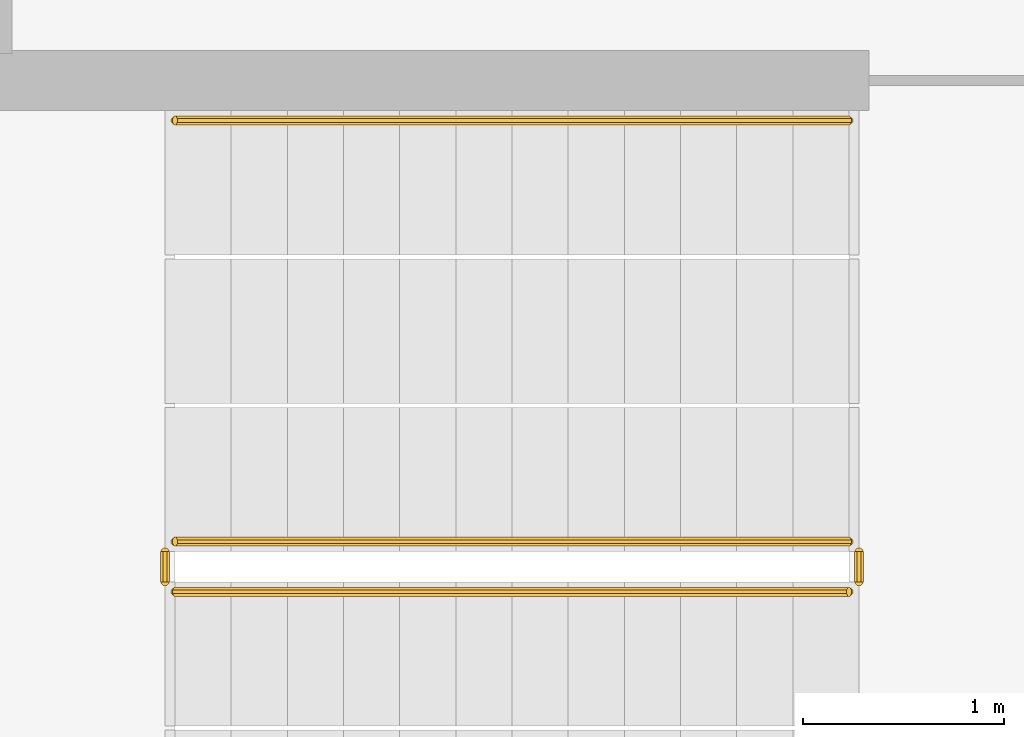
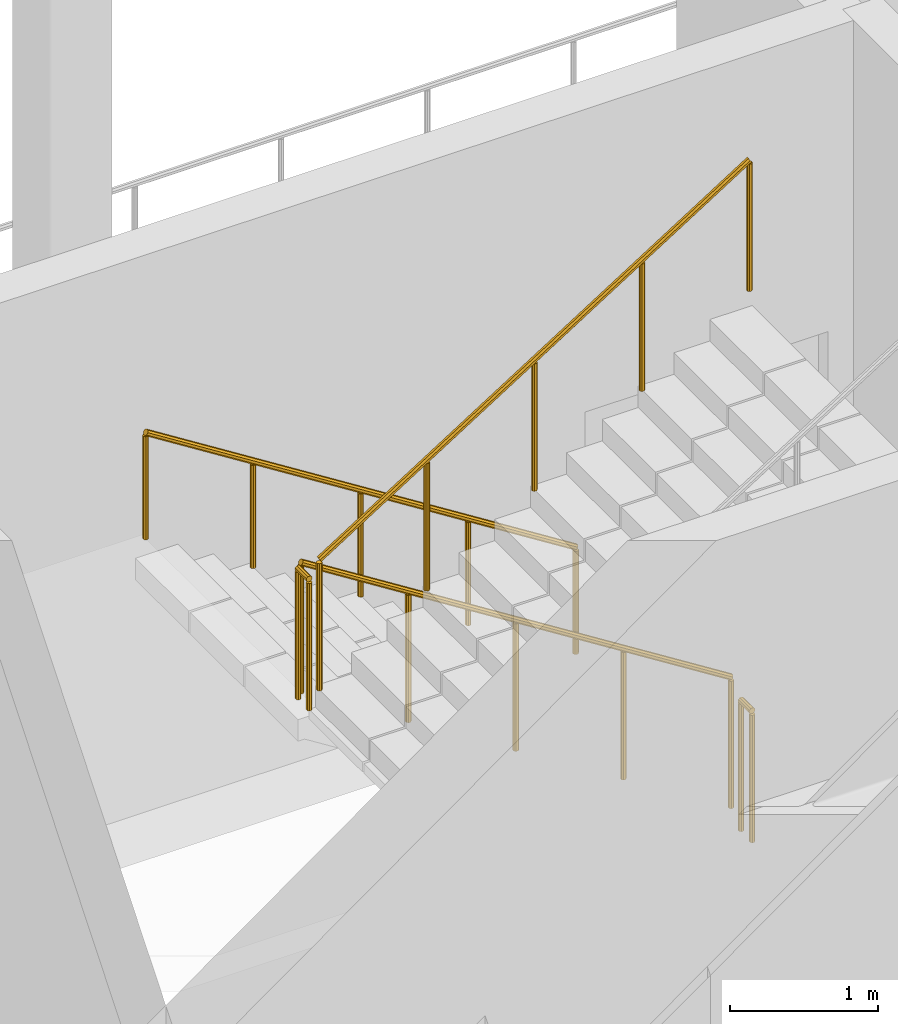
# One storey, part 21 of 30: 5 railings.
"""IFC4 building model written with IfcOpenShell, lengths in metres."""

from ifc_helpers import new_model, si_unit, direction, frame, origin, place, context, subcontext, project, spatial, polyline, outline, extrude, material, type_object, element, save


model = new_model("IFC4")

# Units and contexts
model_context = context("Model", 3, precision=1e-05, world=origin(), true_north=direction((0.0, 1.0)))
body_context = subcontext(model_context, "Body", "Model", "MODEL_VIEW")
ifc_project = project(units=[si_unit("LENGTHUNIT", "METRE"), si_unit("AREAUNIT", "SQUARE_METRE"), si_unit("VOLUMEUNIT", "CUBIC_METRE"), si_unit("PLANEANGLEUNIT", "RADIAN"), si_unit("MASSUNIT", "GRAM", prefix="KILO")], contexts=[model_context])

# Site, building, storey
site_placement = place(None, origin())
site = spatial("IfcSite", under=ifc_project, at=site_placement, CompositionType="ELEMENT")
building_placement = place(site_placement, origin())
building = spatial("IfcBuilding", under=site, at=building_placement, Name="Cormorant Relay Tower", CompositionType="ELEMENT")
storey_placement = place(building_placement, frame((0.0, 0.0, 80.0)))
storey = spatial("IfcBuildingStorey", under=building, at=storey_placement, Name="L15", CompositionType="ELEMENT", Elevation=80.0)

# Railings
ifc_material_1 = material(Name="Steel ASTM A572 Grade 50 (Fy 345 MPa)", Category="steel")
railing_type_1 = type_object("IfcRailingType", Name="Stair guard 1100", PredefinedType="GUARDRAIL", material=ifc_material_1)
railing_1_placement = place(storey_placement, frame((1.60009765625, -18.27490234375, 0.177001953125)))
element("IfcRailing", 1, at=railing_1_placement, inside=storey, type_object=railing_type_1, Name="L15 RK1 stair guard 1", PredefinedType="GUARDRAIL", context=body_context, shape_type="SweptSolid", body=[
    extrude(outline(polyline([(0.022216796875, 0.00927734375), (0.00927734375, 0.022216796875), (-0.00927734375, 0.022216796875), (-0.022216796875, 0.00927734375), (-0.022216796875, -0.00927734375), (-0.00927734375, -0.022216796875), (0.00927734375, -0.022216796875), (0.022216796875, -0.00927734375), (0.022216796875, 0.00927734375)])), frame((0.0, 0.0, 1.076171875), z_axis=(-0.845389635667, 0.0, 0.534150132366), x_axis=(0.0, -1.0, 0.0)), (0.0, 0.0, 1.0), 3.974609375),
    extrude(outline(polyline([(0.019287109375, 0.008056640625), (0.008056640625, 0.019287109375), (-0.008056640625, 0.019287109375), (-0.019287109375, 0.008056640625), (-0.019287109375, -0.008056640625), (-0.008056640625, -0.019287109375), (0.008056640625, -0.019287109375), (0.019287109375, -0.008056640625), (0.019287109375, 0.008056640625)])), origin(), (0.0, 0.0, 1.0), 1.052001953125),
    extrude(outline(polyline([(0.019287109375, 0.008056640625), (0.008056640625, 0.019287109375), (-0.008056640625, 0.019287109375), (-0.019287109375, 0.008056640625), (-0.019287109375, -0.008056640625), (-0.008056640625, -0.019287109375), (0.008056640625, -0.019287109375), (0.019287109375, -0.008056640625), (0.019287109375, 0.008056640625)])), frame((-0.840087890625, 0.0, 0.53076171875)), (0.0, 0.0, 1.0), 1.052001953125),
    extrude(outline(polyline([(0.019287109375, 0.008056640625), (0.008056640625, 0.019287109375), (-0.008056640625, 0.019287109375), (-0.019287109375, 0.008056640625), (-0.019287109375, -0.008056640625), (-0.008056640625, -0.019287109375), (0.008056640625, -0.019287109375), (0.019287109375, -0.008056640625), (0.019287109375, 0.008056640625)])), frame((-1.68017578125, 0.0, 1.0615234375)), (0.0, 0.0, 1.0), 1.052001953125),
    extrude(outline(polyline([(0.019287109375, 0.008056640625), (0.008056640625, 0.019287109375), (-0.008056640625, 0.019287109375), (-0.019287109375, 0.008056640625), (-0.019287109375, -0.008056640625), (-0.008056640625, -0.019287109375), (0.008056640625, -0.019287109375), (0.019287109375, -0.008056640625), (0.019287109375, 0.008056640625)])), frame((-2.52001953125, 0.0, 1.59228515625)), (0.0, 0.0, 1.0), 1.052001953125),
    extrude(outline(polyline([(0.019287109375, 0.008056640625), (0.008056640625, 0.019287109375), (-0.008056640625, 0.019287109375), (-0.019287109375, 0.008056640625), (-0.019287109375, -0.008056640625), (-0.008056640625, -0.019287109375), (0.008056640625, -0.019287109375), (0.019287109375, -0.008056640625), (0.019287109375, 0.008056640625)])), frame((-3.360107421875, 0.0, 2.123046875)), (0.0, 0.0, 1.0), 1.052001953125),
])
railing_2_placement = place(storey_placement, frame((-1.81005859375, -18.324951171875, 2.300048828125)))
element("IfcRailing", 2, at=railing_2_placement, inside=storey, type_object=railing_type_1, Name="L15 RK1 stair guard 2", PredefinedType="GUARDRAIL", context=body_context, shape_type="SweptSolid", body=[
    extrude(outline(polyline([(0.022216796875, 0.00927734375), (0.00927734375, 0.022216796875), (-0.00927734375, 0.022216796875), (-0.022216796875, 0.00927734375), (-0.022216796875, -0.00927734375), (-0.00927734375, -0.022216796875), (0.00927734375, -0.022216796875), (0.022216796875, -0.00927734375), (0.022216796875, 0.00927734375)])), frame((0.0, 0.0, 1.076171875), z_axis=(0.0, -1.0, 0.0), x_axis=(1.0, 0.0, 0.0)), (0.0, 0.0, 1.0), 0.150146484375),
    extrude(outline(polyline([(0.019287109375, 0.008056640625), (0.008056640625, 0.019287109375), (-0.008056640625, 0.019287109375), (-0.019287109375, 0.008056640625), (-0.019287109375, -0.008056640625), (-0.008056640625, -0.019287109375), (0.008056640625, -0.019287109375), (0.019287109375, -0.008056640625), (0.019287109375, 0.008056640625)])), origin(), (0.0, 0.0, 1.0), 1.052001953125),
    extrude(outline(polyline([(0.019287109375, 0.008056640625), (0.008056640625, 0.019287109375), (-0.008056640625, 0.019287109375), (-0.019287109375, 0.008056640625), (-0.019287109375, -0.008056640625), (-0.008056640625, -0.019287109375), (0.008056640625, -0.019287109375), (0.019287109375, -0.008056640625), (0.019287109375, 0.008056640625)])), frame((0.0, -0.150146484375, 0.0)), (0.0, 0.0, 1.0), 1.052001953125),
])
railing_3_placement = place(storey_placement, frame((-1.760009765625, -18.52490234375, 2.476806640625)))
element("IfcRailing", 3, at=railing_3_placement, inside=storey, type_object=railing_type_1, Name="L15 RK1 stair guard 3", PredefinedType="GUARDRAIL", context=body_context, shape_type="SweptSolid", body=[
    extrude(outline(polyline([(0.022216796875, 0.00927734375), (0.00927734375, 0.022216796875), (-0.00927734375, 0.022216796875), (-0.022216796875, 0.00927734375), (-0.022216796875, -0.00927734375), (-0.00927734375, -0.022216796875), (0.00927734375, -0.022216796875), (0.022216796875, -0.00927734375), (0.022216796875, 0.00927734375)])), frame((0.0, 0.0, 1.076171875), z_axis=(0.845361898145, 0.0, 0.534194029511), x_axis=(0.0, 1.0, 0.0)), (0.0, 0.0, 1.0), 3.974853515625),
    extrude(outline(polyline([(0.019287109375, 0.008056640625), (0.008056640625, 0.019287109375), (-0.008056640625, 0.019287109375), (-0.019287109375, 0.008056640625), (-0.019287109375, -0.008056640625), (-0.008056640625, -0.019287109375), (0.008056640625, -0.019287109375), (0.019287109375, -0.008056640625), (0.019287109375, 0.008056640625)])), origin(), (0.0, 0.0, 1.0), 1.052001953125),
    extrude(outline(polyline([(0.019287109375, 0.008056640625), (0.008056640625, 0.019287109375), (-0.008056640625, 0.019287109375), (-0.019287109375, 0.008056640625), (-0.019287109375, -0.008056640625), (-0.008056640625, -0.019287109375), (0.008056640625, -0.019287109375), (0.019287109375, -0.008056640625), (0.019287109375, 0.008056640625)])), frame((0.840087890625, 0.0, 0.53076171875)), (0.0, 0.0, 1.0), 1.052001953125),
    extrude(outline(polyline([(0.019287109375, 0.008056640625), (0.008056640625, 0.019287109375), (-0.008056640625, 0.019287109375), (-0.019287109375, 0.008056640625), (-0.019287109375, -0.008056640625), (-0.008056640625, -0.019287109375), (0.008056640625, -0.019287109375), (0.019287109375, -0.008056640625), (0.019287109375, 0.008056640625)])), frame((1.68017578125, 0.0, 1.0615234375)), (0.0, 0.0, 1.0), 1.052001953125),
    extrude(outline(polyline([(0.019287109375, 0.008056640625), (0.008056640625, 0.019287109375), (-0.008056640625, 0.019287109375), (-0.019287109375, 0.008056640625), (-0.019287109375, -0.008056640625), (-0.008056640625, -0.019287109375), (0.008056640625, -0.019287109375), (0.019287109375, -0.008056640625), (0.019287109375, 0.008056640625)])), frame((2.52001953125, 0.0, 1.592529296875)), (0.0, 0.0, 1.0), 1.052001953125),
    extrude(outline(polyline([(0.019287109375, 0.008056640625), (0.008056640625, 0.019287109375), (-0.008056640625, 0.019287109375), (-0.019287109375, 0.008056640625), (-0.019287109375, -0.008056640625), (-0.008056640625, -0.019287109375), (0.008056640625, -0.019287109375), (0.019287109375, -0.008056640625), (0.019287109375, 0.008056640625)])), frame((3.360107421875, 0.0, 2.123291015625)), (0.0, 0.0, 1.0), 1.052001953125),
])
railing_4_placement = place(storey_placement, frame((1.64990234375, -18.324951171875, 0.0)))
element("IfcRailing", 4, at=railing_4_placement, inside=storey, type_object=railing_type_1, Name="L15 RK1 stair guard 4", PredefinedType="GUARDRAIL", context=body_context, shape_type="SweptSolid", body=[
    extrude(outline(polyline([(0.022216796875, 0.00927734375), (0.00927734375, 0.022216796875), (-0.00927734375, 0.022216796875), (-0.022216796875, 0.00927734375), (-0.022216796875, -0.00927734375), (-0.00927734375, -0.022216796875), (0.00927734375, -0.022216796875), (0.022216796875, -0.00927734375), (0.022216796875, 0.00927734375)])), frame((0.0, 0.0, 1.076171875), z_axis=(0.0, -1.0, 0.0), x_axis=(1.0, 0.0, 0.0)), (0.0, 0.0, 1.0), 0.150146484375),
    extrude(outline(polyline([(0.019287109375, 0.008056640625), (0.008056640625, 0.019287109375), (-0.008056640625, 0.019287109375), (-0.019287109375, 0.008056640625), (-0.019287109375, -0.008056640625), (-0.008056640625, -0.019287109375), (0.008056640625, -0.019287109375), (0.019287109375, -0.008056640625), (0.019287109375, 0.008056640625)])), origin(), (0.0, 0.0, 1.0), 1.052001953125),
    extrude(outline(polyline([(0.019287109375, 0.008056640625), (0.008056640625, 0.019287109375), (-0.008056640625, 0.019287109375), (-0.019287109375, 0.008056640625), (-0.019287109375, -0.008056640625), (-0.008056640625, -0.019287109375), (0.008056640625, -0.019287109375), (0.019287109375, -0.008056640625), (0.019287109375, 0.008056640625)])), frame((0.0, -0.150146484375, 0.0)), (0.0, 0.0, 1.0), 1.052001953125),
])
ifc_material_2 = material(Name="Steel ASTM A572 Grade 50 (Fy 345 MPa)", Category="steel")
railing_type_2 = type_object("IfcRailingType", Name="Stair handrail 900", PredefinedType="HANDRAIL", material=ifc_material_2)
railing_5_placement = place(storey_placement, frame((1.60009765625, -16.175048828125, 0.177001953125)))
element("IfcRailing", 5, at=railing_5_placement, inside=storey, type_object=railing_type_2, Name="L15 RK1 stair handrail 1", PredefinedType="HANDRAIL", context=body_context, shape_type="SweptSolid", body=[
    extrude(outline(polyline([(0.022216796875, 0.00927734375), (0.00927734375, 0.022216796875), (-0.00927734375, 0.022216796875), (-0.022216796875, 0.00927734375), (-0.022216796875, -0.00927734375), (-0.00927734375, -0.022216796875), (0.00927734375, -0.022216796875), (0.022216796875, -0.00927734375), (0.022216796875, 0.00927734375)])), frame((0.0, 0.0, 0.8759765625), z_axis=(-0.845389635667, 0.0, 0.534150132366), x_axis=(0.0, -1.0, 0.0)), (0.0, 0.0, 1.0), 3.974609375),
    extrude(outline(polyline([(0.019287109375, 0.008056640625), (0.008056640625, 0.019287109375), (-0.008056640625, 0.019287109375), (-0.019287109375, 0.008056640625), (-0.019287109375, -0.008056640625), (-0.008056640625, -0.019287109375), (0.008056640625, -0.019287109375), (0.019287109375, -0.008056640625), (0.019287109375, 0.008056640625)])), origin(), (0.0, 0.0, 1.0), 0.851806640625),
    extrude(outline(polyline([(0.019287109375, 0.008056640625), (0.008056640625, 0.019287109375), (-0.008056640625, 0.019287109375), (-0.019287109375, 0.008056640625), (-0.019287109375, -0.008056640625), (-0.008056640625, -0.019287109375), (0.008056640625, -0.019287109375), (0.019287109375, -0.008056640625), (0.019287109375, 0.008056640625)])), frame((-0.840087890625, 0.0, 0.53076171875)), (0.0, 0.0, 1.0), 0.851806640625),
    extrude(outline(polyline([(0.019287109375, 0.008056640625), (0.008056640625, 0.019287109375), (-0.008056640625, 0.019287109375), (-0.019287109375, 0.008056640625), (-0.019287109375, -0.008056640625), (-0.008056640625, -0.019287109375), (0.008056640625, -0.019287109375), (0.019287109375, -0.008056640625), (0.019287109375, 0.008056640625)])), frame((-1.68017578125, 0.0, 1.0615234375)), (0.0, 0.0, 1.0), 0.851806640625),
    extrude(outline(polyline([(0.019287109375, 0.008056640625), (0.008056640625, 0.019287109375), (-0.008056640625, 0.019287109375), (-0.019287109375, 0.008056640625), (-0.019287109375, -0.008056640625), (-0.008056640625, -0.019287109375), (0.008056640625, -0.019287109375), (0.019287109375, -0.008056640625), (0.019287109375, 0.008056640625)])), frame((-2.52001953125, 0.0, 1.59228515625)), (0.0, 0.0, 1.0), 0.851806640625),
    extrude(outline(polyline([(0.019287109375, 0.008056640625), (0.008056640625, 0.019287109375), (-0.008056640625, 0.019287109375), (-0.019287109375, 0.008056640625), (-0.019287109375, -0.008056640625), (-0.008056640625, -0.019287109375), (0.008056640625, -0.019287109375), (0.019287109375, -0.008056640625), (0.019287109375, 0.008056640625)])), frame((-3.360107421875, 0.0, 2.123046875)), (0.0, 0.0, 1.0), 0.851806640625),
])

save(model, "model.ifc")
